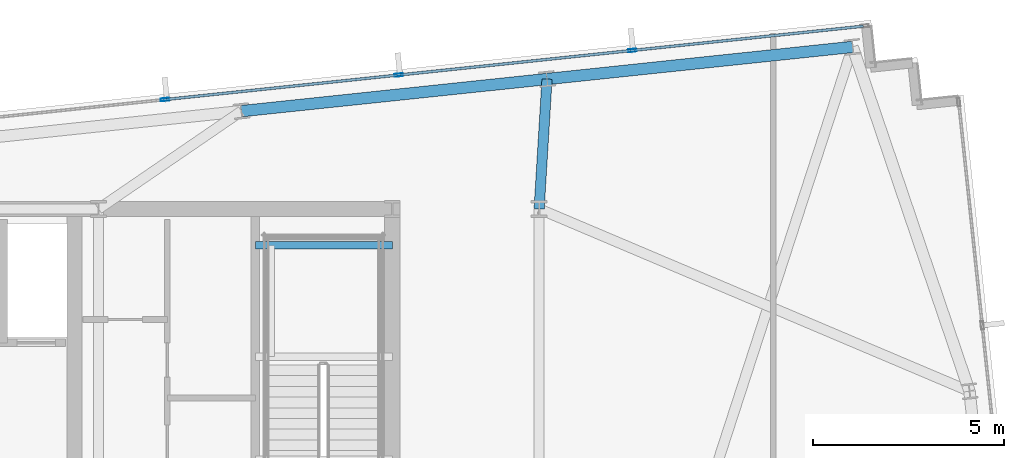
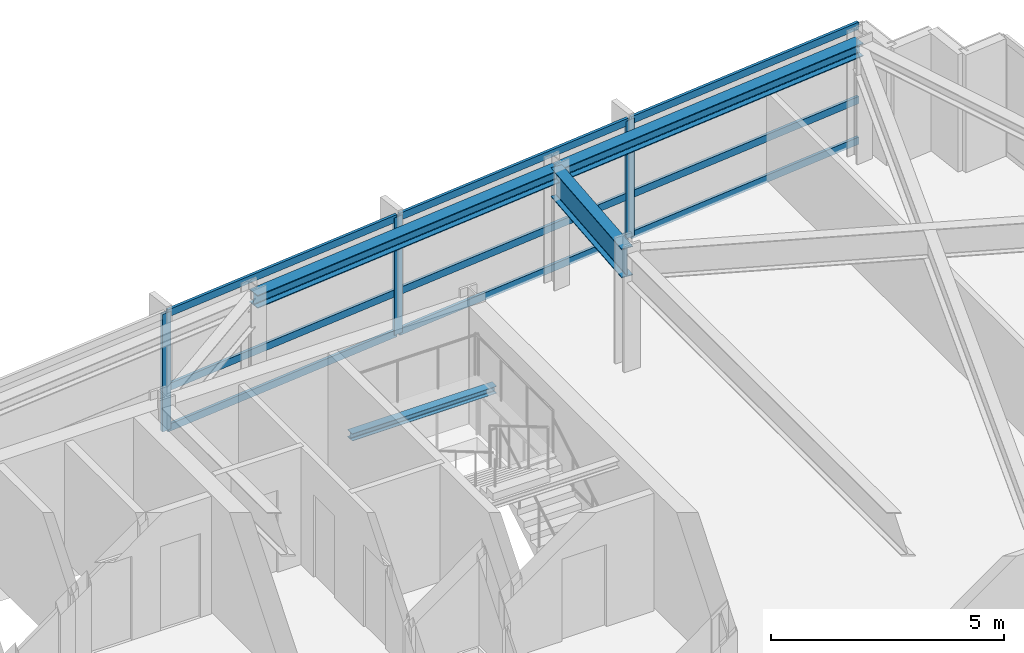
# One storey, part 17 of 26: 12 members, 4 beams, 1 element without a shape of its own.
"""IFC4 building model written with IfcOpenShell, lengths in metres."""

from ifc_helpers import new_model, si_unit, direction, frame, origin, origin_2d, place, context, subcontext, project, spatial, hollow_rectangle, i_section, extrude, material, material_profile, profile_set, type_object, element, aggregate, save


model = new_model("IFC4")

# Units and contexts
model_context = context("Model", 3, precision=1e-05, world=origin(), true_north=direction((0.0, 1.0)))
body_context = subcontext(model_context, "Body", "Model", "MODEL_VIEW")
ifc_project = project(units=[si_unit("LENGTHUNIT", "METRE"), si_unit("AREAUNIT", "SQUARE_METRE"), si_unit("VOLUMEUNIT", "CUBIC_METRE"), si_unit("PLANEANGLEUNIT", "RADIAN"), si_unit("MASSUNIT", "GRAM", prefix="KILO")], contexts=[model_context])

# Site, building, storey
site_placement = place(None, origin())
site = spatial("IfcSite", under=ifc_project, at=site_placement, CompositionType="ELEMENT")
building_placement = place(site_placement, origin())
building = spatial("IfcBuilding", under=site, at=building_placement, Name="Yelkora Congress Tower", CompositionType="ELEMENT")
storey_placement = place(building_placement, frame((0.0, 0.0, 204.5)))
storey = spatial("IfcBuildingStorey", under=building, at=storey_placement, Name="L56", CompositionType="ELEMENT", Elevation=204.5)

# Beams
ifc_material_1 = material(Name="Steel S355J2", Category="steel")
ifc_material_profile_1 = material_profile(ifc_material_1, i_section(OverallWidth=0.26708984375, OverallDepth=0.761962890625, WebThickness=0.014404296875, FlangeThickness=0.021484375, FilletRadius=0.01708984375, at=origin_2d()), Name="IPE 750x173")
ifc_profile_set_1 = profile_set([ifc_material_profile_1], Name="Steel S355J2")
beam_type_1 = type_object("IfcBeamType", Name="BM-GIRD-IPE750", PredefinedType="BEAM", material=ifc_profile_set_1)
beam_1_placement = place(storey_placement, frame((57.806640625, 49.5966796875, 2.698974609375), z_axis=(-0.060694337224, -0.998156399283, 0.0), x_axis=(0.998156399283, -0.060694337224, 0.0)))
element("IfcBeam", 1, at=beam_1_placement, inside=storey, type_object=beam_type_1, Name="L56 Primary Frame Girder N06", PredefinedType="BEAM", context=body_context, shape_type="SweptSolid", body=[
    extrude(i_section(OverallWidth=0.26708984375, OverallDepth=0.761962890625, WebThickness=0.014404296875, FlangeThickness=0.021484375, FilletRadius=0.01708984375, at=origin_2d()), origin(), (0.0, 0.0, 1.0), 3.403076171875),
])
ifc_material_profile_2 = material_profile(ifc_material_1, i_section(OverallWidth=0.199951171875, OverallDepth=0.18994140625, WebThickness=0.006591796875, FlangeThickness=0.010009765625, FilletRadius=0.01806640625, at=origin_2d()), Name="HEA 200")
ifc_profile_set_2 = profile_set([ifc_material_profile_2], Name="Steel S355J2")
beam_type_2 = type_object("IfcBeamType", Name="BM-LAND-HEA200", PredefinedType="BEAM", material=ifc_profile_set_2)
beam_2_placement = place(storey_placement, frame((50.179931640625, 45.25, 1.334716796875), z_axis=(1.0, 0.0, 0.0), x_axis=(0.0, 1.0, 0.0)))
element("IfcBeam", 2, at=beam_2_placement, inside=storey, type_object=beam_type_2, Name="ST-02 L56 Landing Header Beam 1N", PredefinedType="BEAM", context=body_context, shape_type="SweptSolid", body=[
    extrude(i_section(OverallWidth=0.199951171875, OverallDepth=0.18994140625, WebThickness=0.006591796875, FlangeThickness=0.010009765625, FilletRadius=0.01806640625, at=origin_2d()), origin(), (0.0, 0.0, 1.0), 3.580078125),
])
ifc_material_profile_3 = material_profile(ifc_material_1, i_section(OverallWidth=0.300048828125, OverallDepth=0.340087890625, WebThickness=0.011962890625, FlangeThickness=0.021484375, FilletRadius=0.027099609375, at=origin_2d()), Name="HEB 340")
ifc_profile_set_3 = profile_set([ifc_material_profile_3], Name="Steel S355J2")
beam_type_3 = type_object("IfcBeamType", Name="BM-SPAN-HEB340", PredefinedType="SPANDREL", material=ifc_profile_set_3)
for number, where, z_axis, x_axis, name in (
    (3, (65.7958984375, 50.4365234375, 2.909912109375), (-0.994520097542, -0.104545567032, 0.0), (0.104545567032, -0.994520097542, 0.0), "L56 Perimeter Beam 13"),
    (4, (57.806640625, 49.5966796875, 2.909912109375), (-0.994523256947, -0.104515507904, 0.0), (0.104515507904, -0.994523256947, 0.0), "L56 Perimeter Beam 14"),
):
    element("IfcBeam", number, at=place(storey_placement, frame(where, z_axis=z_axis, x_axis=x_axis)), inside=storey, type_object=beam_type_3, Name=name, PredefinedType="SPANDREL", context=body_context, shape_type="SweptSolid", body=[
        extrude(i_section(OverallWidth=0.300048828125, OverallDepth=0.340087890625, WebThickness=0.011962890625, FlangeThickness=0.021484375, FilletRadius=0.027099609375, at=origin_2d()), origin(), (0.0, 0.0, 1.0), 8.033203125),
    ])

# Curtain wall, members
ifc_material_2 = material(Name="Anodised aluminium and insulated glass", Category="aluminium")
curtain_wall_type = type_object("IfcCurtainWallType", Name="CW-SYS-SKY", PredefinedType="NOTDEFINED", material=ifc_material_2)
curtain_wall_placement = place(storey_placement, origin())
curtain_wall = element("IfcCurtainWall", 5, at=curtain_wall_placement, inside=storey, type_object=curtain_wall_type, Name="L56 Unitised Curtain Wall 10 (3)", PredefinedType="NOTDEFINED")
ifc_material_3 = material(Name="Anodised aluminium 6063-T6", Category="aluminium")
ifc_material_profile_4 = material_profile(ifc_material_3, hollow_rectangle(XDim=0.074951171875, YDim=0.219970703125, WallThickness=0.0048828125, at=origin_2d()), Name="ALU 75x220x5")
ifc_profile_set_4 = profile_set([ifc_material_profile_4], Name="Anodised aluminium 6063-T6")
member_type_1 = type_object("IfcMemberType", Name="MEM-ML-SKY", PredefinedType="MULLION", material=ifc_profile_set_4)
member_1_placement = place(storey_placement, frame((47.815673828125, 49.0595703125, 0.0), z_axis=(0.0, 0.0, 1.0), x_axis=(-0.104528076052, 0.994521936066, 0.0)))
member_1 = element("IfcMember", 6, at=member_1_placement, type_object=member_type_1, Name="CW-SKY mullion 5", PredefinedType="MULLION", context=body_context, shape_type="SweptSolid", body=[
    extrude(hollow_rectangle(XDim=0.074951171875, YDim=0.219970703125, WallThickness=0.0048828125, at=origin_2d()), origin(), (0.0, 0.0, 1.0), 3.080078125),
])
member_2_placement = place(storey_placement, frame((53.92724609375, 49.701904296875, 0.0), z_axis=(0.0, 0.0, 1.0), x_axis=(-0.104528076052, 0.994521936066, 0.0)))
member_2 = element("IfcMember", 7, at=member_2_placement, type_object=member_type_1, Name="CW-SKY mullion 6", PredefinedType="MULLION", context=body_context, shape_type="SweptSolid", body=[
    extrude(hollow_rectangle(XDim=0.074951171875, YDim=0.219970703125, WallThickness=0.0048828125, at=origin_2d()), origin(), (0.0, 0.0, 1.0), 3.080078125),
])
member_3_placement = place(storey_placement, frame((60.038818359375, 50.34423828125, 0.0), z_axis=(0.0, 0.0, 1.0), x_axis=(-0.104528076052, 0.994521936066, 0.0)))
member_3 = element("IfcMember", 8, at=member_3_placement, type_object=member_type_1, Name="CW-SKY mullion 7", PredefinedType="MULLION", context=body_context, shape_type="SweptSolid", body=[
    extrude(hollow_rectangle(XDim=0.074951171875, YDim=0.219970703125, WallThickness=0.0048828125, at=origin_2d()), origin(), (0.0, 0.0, 1.0), 3.080078125),
])
ifc_material_profile_5 = material_profile(ifc_material_3, hollow_rectangle(XDim=0.070068359375, YDim=0.18994140625, WallThickness=0.00390625, at=origin_2d()), Name="ALU 70x190x4")
ifc_profile_set_5 = profile_set([ifc_material_profile_5], Name="Anodised aluminium 6063-T6")
member_type_2 = type_object("IfcMemberType", Name="MEM-TR-SKY", PredefinedType="USERDEFINED", material=ifc_profile_set_5)
member_4_placement = place(storey_placement, frame((47.852783203125, 49.0634765625, 0.034912109375), z_axis=(0.994521968659, 0.104527765955, 0.0), x_axis=(-0.104527765955, 0.994521968659, 0.0)))
member_4 = element("IfcMember", 9, at=member_4_placement, type_object=member_type_2, Name="CW-SKY transom 5.1", ObjectType="TRANSOM", PredefinedType="USERDEFINED", context=body_context, shape_type="SweptSolid", body=[
    extrude(hollow_rectangle(XDim=0.070068359375, YDim=0.18994140625, WallThickness=0.00390625, at=origin_2d()), origin(), (0.0, 0.0, 1.0), 6.0703125),
])
member_5_placement = place(storey_placement, frame((47.852783203125, 49.0634765625, 1.10009765625), z_axis=(0.994521968659, 0.104527765955, 0.0), x_axis=(-0.104527765955, 0.994521968659, 0.0)))
member_5 = element("IfcMember", 10, at=member_5_placement, type_object=member_type_2, Name="CW-SKY transom 5.2", ObjectType="TRANSOM", PredefinedType="USERDEFINED", context=body_context, shape_type="SweptSolid", body=[
    extrude(hollow_rectangle(XDim=0.070068359375, YDim=0.18994140625, WallThickness=0.00390625, at=origin_2d()), origin(), (0.0, 0.0, 1.0), 6.0703125),
])
member_6_placement = place(storey_placement, frame((47.852783203125, 49.0634765625, 3.044921875), z_axis=(0.994521968659, 0.104527765955, 0.0), x_axis=(-0.104527765955, 0.994521968659, 0.0)))
member_6 = element("IfcMember", 11, at=member_6_placement, type_object=member_type_2, Name="CW-SKY transom 5.3", ObjectType="TRANSOM", PredefinedType="USERDEFINED", context=body_context, shape_type="SweptSolid", body=[
    extrude(hollow_rectangle(XDim=0.070068359375, YDim=0.18994140625, WallThickness=0.00390625, at=origin_2d()), origin(), (0.0, 0.0, 1.0), 6.0703125),
])
member_7_placement = place(storey_placement, frame((53.964599609375, 49.705810546875, 0.034912109375), z_axis=(0.994521529203, 0.104531947038, 0.0), x_axis=(-0.104531947038, 0.994521529203, 0.0)))
member_7 = element("IfcMember", 12, at=member_7_placement, type_object=member_type_2, Name="CW-SKY transom 6.1", ObjectType="TRANSOM", PredefinedType="USERDEFINED", context=body_context, shape_type="SweptSolid", body=[
    extrude(hollow_rectangle(XDim=0.070068359375, YDim=0.18994140625, WallThickness=0.00390625, at=origin_2d()), origin(), (0.0, 0.0, 1.0), 6.070068359375),
])
member_8_placement = place(storey_placement, frame((53.964599609375, 49.705810546875, 1.10009765625), z_axis=(0.994521529203, 0.104531947038, 0.0), x_axis=(-0.104531947038, 0.994521529203, 0.0)))
member_8 = element("IfcMember", 13, at=member_8_placement, type_object=member_type_2, Name="CW-SKY transom 6.2", ObjectType="TRANSOM", PredefinedType="USERDEFINED", context=body_context, shape_type="SweptSolid", body=[
    extrude(hollow_rectangle(XDim=0.070068359375, YDim=0.18994140625, WallThickness=0.00390625, at=origin_2d()), origin(), (0.0, 0.0, 1.0), 6.070068359375),
])
member_9_placement = place(storey_placement, frame((53.964599609375, 49.705810546875, 3.044921875), z_axis=(0.994521529203, 0.104531947038, 0.0), x_axis=(-0.104531947038, 0.994521529203, 0.0)))
member_9 = element("IfcMember", 14, at=member_9_placement, type_object=member_type_2, Name="CW-SKY transom 6.3", ObjectType="TRANSOM", PredefinedType="USERDEFINED", context=body_context, shape_type="SweptSolid", body=[
    extrude(hollow_rectangle(XDim=0.070068359375, YDim=0.18994140625, WallThickness=0.00390625, at=origin_2d()), origin(), (0.0, 0.0, 1.0), 6.070068359375),
])
member_10_placement = place(storey_placement, frame((60.076171875, 50.34814453125, 0.034912109375), z_axis=(0.994521628566, 0.104531001692, 0.0), x_axis=(-0.104531001692, 0.994521628566, 0.0)))
member_10 = element("IfcMember", 15, at=member_10_placement, type_object=member_type_2, Name="CW-SKY transom 7.1", ObjectType="TRANSOM", PredefinedType="USERDEFINED", context=body_context, shape_type="SweptSolid", body=[
    extrude(hollow_rectangle(XDim=0.070068359375, YDim=0.18994140625, WallThickness=0.00390625, at=origin_2d()), origin(), (0.0, 0.0, 1.0), 6.03271484375),
])
member_11_placement = place(storey_placement, frame((60.076171875, 50.34814453125, 1.10009765625), z_axis=(0.994521628566, 0.104531001692, 0.0), x_axis=(-0.104531001692, 0.994521628566, 0.0)))
member_11 = element("IfcMember", 16, at=member_11_placement, type_object=member_type_2, Name="CW-SKY transom 7.2", ObjectType="TRANSOM", PredefinedType="USERDEFINED", context=body_context, shape_type="SweptSolid", body=[
    extrude(hollow_rectangle(XDim=0.070068359375, YDim=0.18994140625, WallThickness=0.00390625, at=origin_2d()), origin(), (0.0, 0.0, 1.0), 6.03271484375),
])
member_12_placement = place(storey_placement, frame((60.076171875, 50.34814453125, 3.044921875), z_axis=(0.994521628566, 0.104531001692, 0.0), x_axis=(-0.104531001692, 0.994521628566, 0.0)))
member_12 = element("IfcMember", 17, at=member_12_placement, type_object=member_type_2, Name="CW-SKY transom 7.3", ObjectType="TRANSOM", PredefinedType="USERDEFINED", context=body_context, shape_type="SweptSolid", body=[
    extrude(hollow_rectangle(XDim=0.070068359375, YDim=0.18994140625, WallThickness=0.00390625, at=origin_2d()), origin(), (0.0, 0.0, 1.0), 6.03271484375),
])
aggregate(curtain_wall, [member_1, member_2, member_3, member_4, member_5, member_6, member_7, member_8, member_9, member_10, member_11, member_12])

save(model, "model.ifc")
